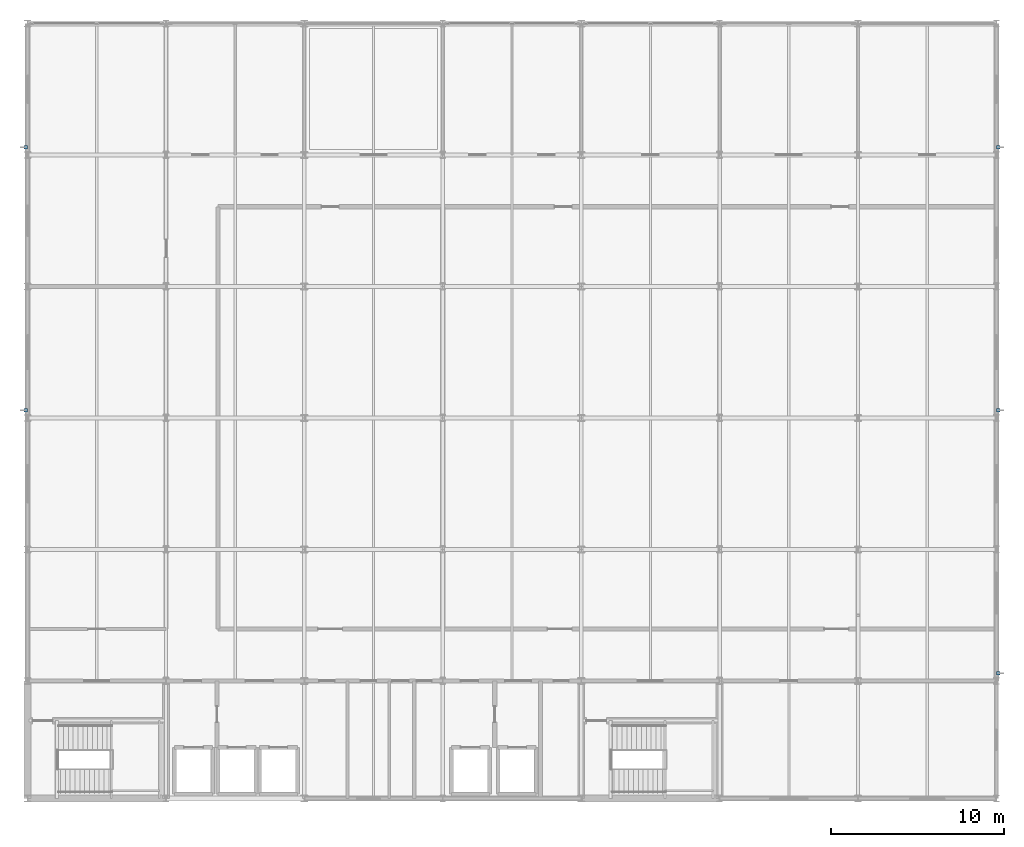
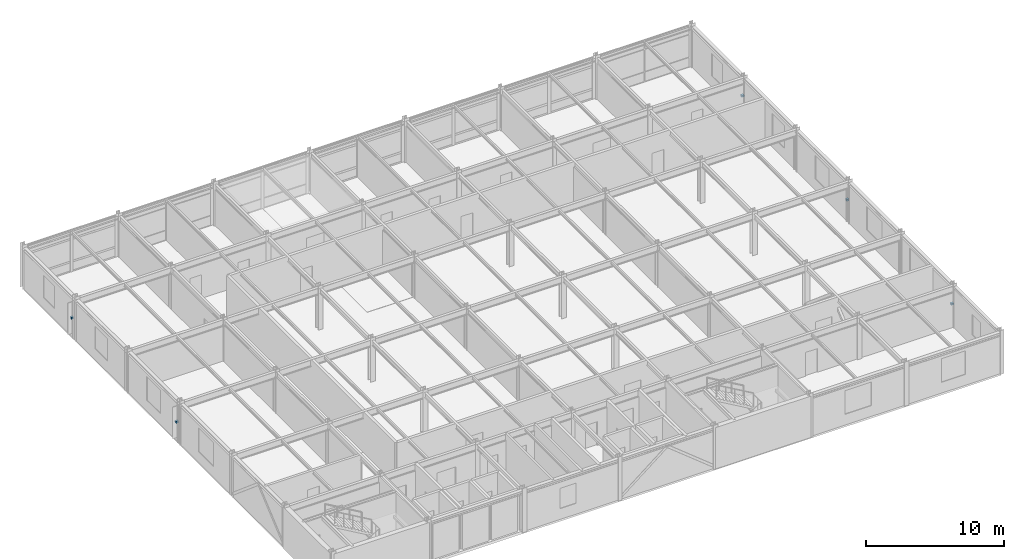
# One storey, part 14 of 18: 5 discrete accessories.
"""IFC4 building model written with IfcOpenShell, lengths in metres."""

from ifc_helpers import new_model, si_unit, direction, frame, origin, origin_2d, place, context, subcontext, project, spatial, rectangle, extrude, material, type_object, element, save


model = new_model("IFC4")

# Units and contexts
model_context = context("Model", 3, precision=1e-05, world=origin(), true_north=direction((0.0, 1.0)))
body_context = subcontext(model_context, "Body", "Model", "MODEL_VIEW")
ifc_project = project(units=[si_unit("LENGTHUNIT", "METRE"), si_unit("AREAUNIT", "SQUARE_METRE"), si_unit("VOLUMEUNIT", "CUBIC_METRE"), si_unit("PLANEANGLEUNIT", "RADIAN"), si_unit("MASSUNIT", "GRAM", prefix="KILO")], contexts=[model_context])

# Site, building, storey
site_placement = place(None, origin())
site = spatial("IfcSite", under=ifc_project, at=site_placement, CompositionType="ELEMENT")
building_placement = place(site_placement, origin())
building = spatial("IfcBuilding", under=site, at=building_placement, Name="Shalkamar Park Central Library", CompositionType="ELEMENT")
storey_placement = place(building_placement, frame((0.0, 0.0, 24.300048828125)))
storey = spatial("IfcBuildingStorey", under=building, at=storey_placement, Name="L06", CompositionType="ELEMENT", Elevation=24.300048828125)

# Discrete accessories
ifc_material = material(Name="Steel S355", Category="steel")
discrete_accessory_type = type_object("IfcDiscreteAccessoryType", Name="Stainless Facade Bracket", PredefinedType="BRACKET", material=ifc_material)
for number, where, z_axis, x_axis, name in (
    (1, (164.909912109375, 270.85595703125, 1.61376953125), (0.0, 0.0, 1.0), (1.0, 0.0, 0.0), "Solar Fin Bracket L06-008"),
    (2, (164.909912109375, 286.055908203125, 1.61376953125), (0.0, 0.0, 1.0), (1.0, 0.0, 0.0), "Solar Fin Bracket L06-009"),
    (3, (221.090087890625, 255.656005859375, 1.61376953125), (0.0, 0.0, 1.0), (1.0, 0.0, 0.0), "Solar Fin Bracket L06-010"),
    (4, (221.090087890625, 270.85595703125, 1.61376953125), (0.0, 0.0, 1.0), (1.0, 0.0, 0.0), "Solar Fin Bracket L06-011"),
    (5, (221.090087890625, 286.055908203125, 1.61376953125), (0.0, 0.0, 1.0), (1.0, 0.0, 0.0), "Solar Fin Bracket L06-012"),
):
    element("IfcDiscreteAccessory", number, at=place(storey_placement, frame(where, z_axis=z_axis, x_axis=x_axis)), inside=storey, type_object=discrete_accessory_type, Name=name, PredefinedType="BRACKET", context=body_context, shape_type="SweptSolid", body=[
        extrude(rectangle(XDim=0.199951171875, YDim=0.199951171875, at=origin_2d()), origin(), (0.0, 0.0, 1.0), 0.159912109375),
    ])

save(model, "model.ifc")
